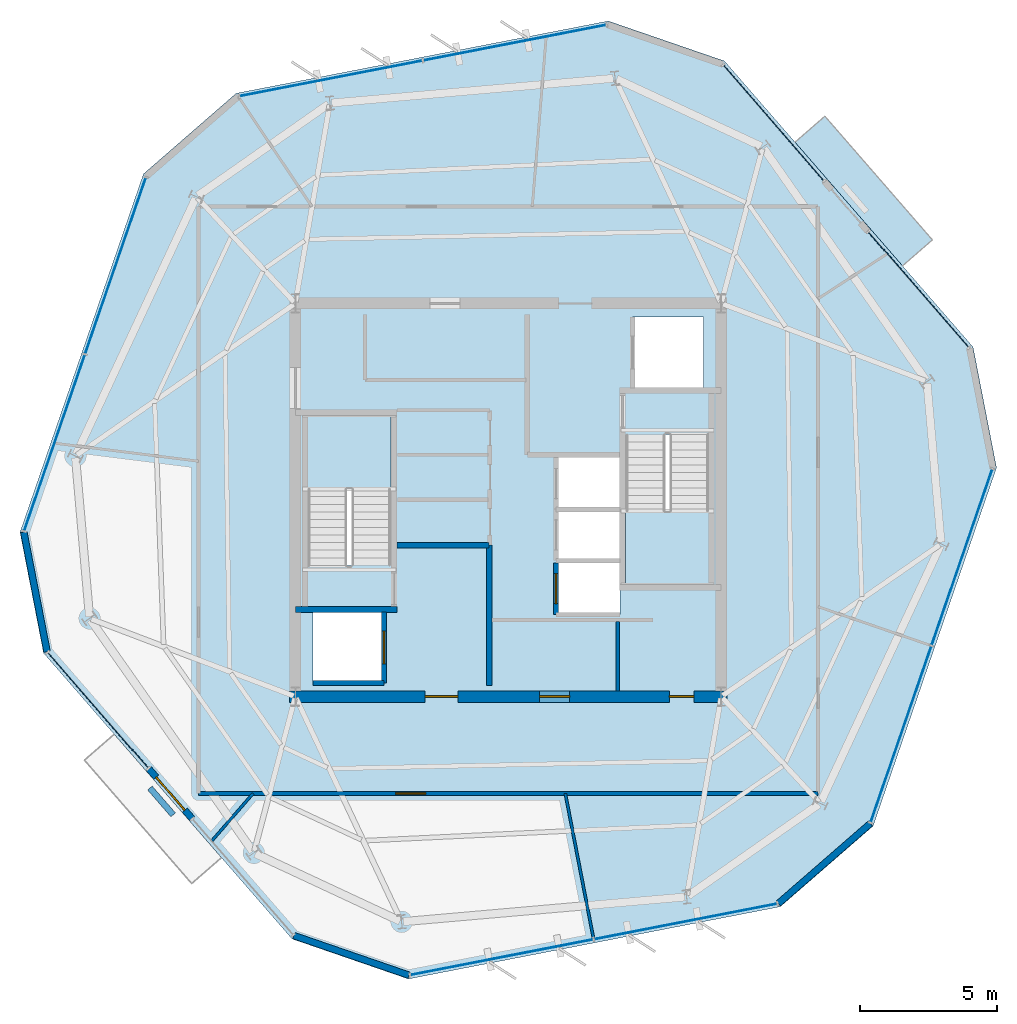
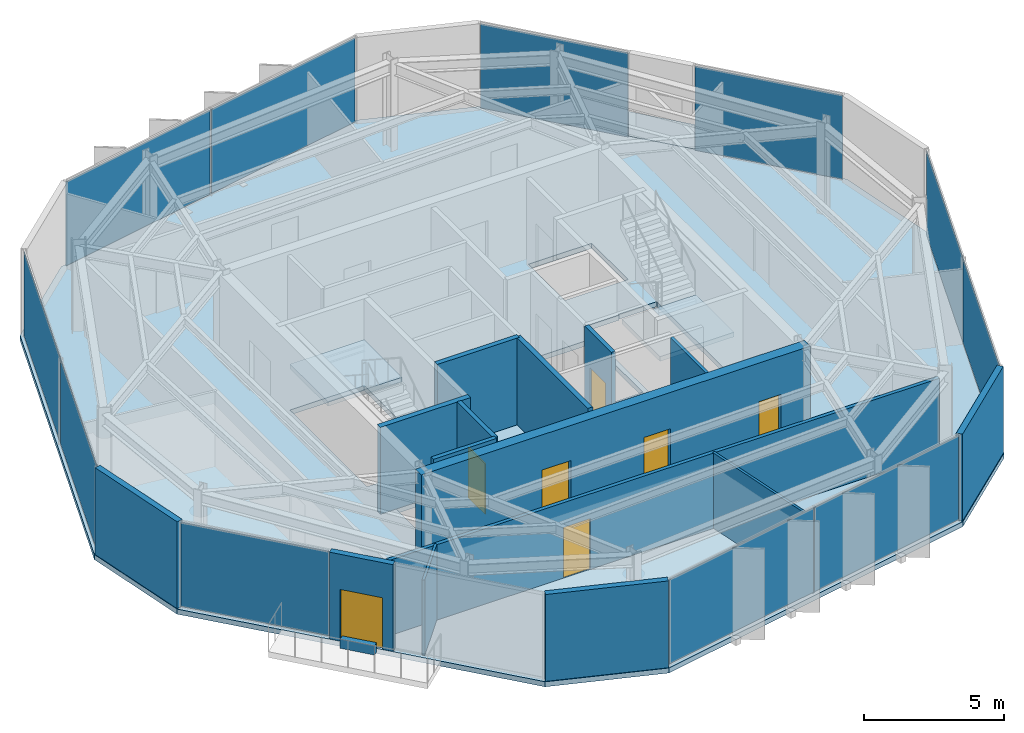
# One storey, part 6 of 10: 16 walls, 11 plates, 7 doors, 4 slabs, 7 openings, 9 elements without a shape of their own.
"""IFC4 building model written with IfcOpenShell, lengths in metres."""

from ifc_helpers import new_model, si_unit, direction, frame, frame_2d, origin, origin_2d, place, context, subcontext, project, spatial, polyline, rectangle, outline, extrude, material, layer, layer_set, type_object, element, fill, aggregate, save


model = new_model("IFC4")

# Units and contexts
model_context = context("Model", 3, precision=1e-05, world=origin(), true_north=direction((0.0, 1.0)))
body_context = subcontext(model_context, "Body", "Model", "MODEL_VIEW")
ifc_project = project(units=[si_unit("LENGTHUNIT", "METRE"), si_unit("AREAUNIT", "SQUARE_METRE"), si_unit("VOLUMEUNIT", "CUBIC_METRE"), si_unit("PLANEANGLEUNIT", "RADIAN"), si_unit("MASSUNIT", "GRAM", prefix="KILO")], contexts=[model_context])

# Site, building, storey
site_placement = place(None, origin())
site = spatial("IfcSite", under=ifc_project, at=site_placement, CompositionType="ELEMENT")
building_placement = place(site_placement, origin())
building = spatial("IfcBuilding", under=site, at=building_placement, Name="Kranzbogen Civic Tower", CompositionType="ELEMENT")
storey_placement = place(building_placement, frame((0.0, 0.0, 310.199951171875)))
storey = spatial("IfcBuildingStorey", under=building, at=storey_placement, Name="L75", CompositionType="ELEMENT", Elevation=310.199951171875)

# Slab
ifc_material_1 = material(Name="Concrete C40/50", Category="concrete")
ifc_layer_1 = layer(ifc_material_1, 0.219970703125, Name="Concrete C40/50")
ifc_layer_set_1 = layer_set([ifc_layer_1], Name="Concrete C40/50")
slab_type_1 = type_object("IfcSlabType", Name="Composite Upper Tower Floor Slab 220 mm", PredefinedType="FLOOR", material=ifc_layer_set_1)
slab_1_placement = place(storey_placement, frame((0.0, 0.0, -0.219970703125)))
element("IfcSlab", 1, at=slab_1_placement, inside=storey, type_object=slab_type_1, Name="L75 tower floor slab", PredefinedType="FLOOR", context=body_context, shape_type="SweptSolid", body=[
    extrude(outline(polyline([(28.662109375, 42.5458984375), (15.031982421875, 39.89697265625), (11.635986328125, 36.944091796875), (7.114990234375, 23.81591796875), (7.97412109375, 19.39794921875), (17.0830078125, 8.9189453125), (21.337890625, 7.4541015625), (34.968017578125, 10.10302734375), (38.364013671875, 13.055908203125), (42.885009765625, 26.18408203125), (42.02587890625, 30.60205078125), (32.9169921875, 41.0810546875), (28.662109375, 42.5458984375)]), holes=[polyline([(17.85009765625, 20.89990234375), (20.449951171875, 20.89990234375), (20.449951171875, 18.300048828125), (17.85009765625, 18.300048828125), (17.85009765625, 20.89990234375)]), polyline([(29.10009765625, 22.699951171875), (29.10009765625, 20.800048828125), (26.75, 20.800048828125), (26.75, 22.699951171875), (29.10009765625, 22.699951171875)]), polyline([(29.10009765625, 24.64990234375), (29.10009765625, 22.77490234375), (26.75, 22.77490234375), (26.75, 24.64990234375), (26.75, 24.675048828125), (26.75, 26.550048828125), (29.10009765625, 26.550048828125), (29.10009765625, 24.675048828125), (29.10009765625, 24.64990234375)]), polyline([(29.300048828125, 27.340087890625), (30.75, 27.340087890625), (30.75, 27.39990234375), (32.35009765625, 27.39990234375), (32.35009765625, 21.89990234375), (29.300048828125, 21.89990234375), (29.300048828125, 27.340087890625)]), polyline([(20.699951171875, 22.659912109375), (19.25, 22.659912109375), (19.25, 22.60009765625), (17.64990234375, 22.60009765625), (17.64990234375, 28.10009765625), (20.699951171875, 28.10009765625), (20.699951171875, 22.659912109375)]), polyline([(32.14990234375, 31.699951171875), (32.14990234375, 29.10009765625), (29.550048828125, 29.10009765625), (29.550048828125, 31.699951171875), (32.14990234375, 31.699951171875)])]), origin(), (0.0, 0.0, 1.0), 0.219970703125),
])

# Curtain wall, plates
ifc_material_2 = material(Name="Pale Anodised Aluminium", Category="aluminium")
ifc_layer_2 = layer(ifc_material_2, 0.219970703125, Name="Pale Anodised Aluminium")
ifc_layer_set_2 = layer_set([ifc_layer_2], Name="Pale Anodised Aluminium")
curtain_wall_type = type_object("IfcCurtainWallType", Name="Zone 4 Stick Curtain Wall System CW-05", PredefinedType="USERDEFINED", material=ifc_layer_set_2)
curtain_wall_1_placement = place(storey_placement, origin())
curtain_wall_1 = element("IfcCurtainWall", 2, at=curtain_wall_1_placement, inside=storey, type_object=curtain_wall_type, Name="L75 curtain wall CW-L75-F1", ObjectType="STICK CURTAIN WALL", PredefinedType="USERDEFINED")
ifc_material_3 = material(Name="Low-E Triple Glazing Glass", Category="glass")
ifc_layer_3 = layer(ifc_material_3, 0.028076171875, Name="Low-E Triple Glazing Glass")
ifc_layer_set_3 = layer_set([ifc_layer_3], Name="Low-E Triple Glazing Glass")
plate_type = type_object("IfcPlateType", Name="Insulated Low-E Glazing Panel 28 mm", PredefinedType="CURTAIN_PANEL", material=ifc_layer_set_3)
plate_1_placement = place(storey_placement, frame((25.237548828125, 41.7490234375, 0.06005859375), z_axis=(0.0, 0.0, 1.0), x_axis=(-0.981635407252, -0.190766682701, 0.0)))
plate_1 = element("IfcPlate", 3, at=plate_1_placement, type_object=plate_type, Name="CW-05 panel 1.1", PredefinedType="CURTAIN_PANEL", context=body_context, shape_type="SweptSolid", body=[
    extrude(rectangle(XDim=6.798095703125, YDim=0.028076171875, at=origin_2d()), origin(), (0.0, 0.0, 1.0), 3.659912109375),
])
plate_2_placement = place(storey_placement, frame((18.50537109375, 40.44091796875, 0.06005859375), z_axis=(0.0, 0.0, 1.0), x_axis=(-0.981635407252, -0.190766682701, 0.0)))
plate_2 = element("IfcPlate", 4, at=plate_2_placement, type_object=plate_type, Name="CW-05 panel 2.1", PredefinedType="CURTAIN_PANEL", context=body_context, shape_type="SweptSolid", body=[
    extrude(rectangle(XDim=6.798095703125, YDim=0.028076171875, at=origin_2d()), origin(), (0.0, 0.0, 1.0), 3.659912109375),
])
aggregate(curtain_wall_1, [plate_1, plate_2])

curtain_wall_2_placement = place(storey_placement, origin())
curtain_wall_2 = element("IfcCurtainWall", 5, at=curtain_wall_2_placement, inside=storey, type_object=curtain_wall_type, Name="L75 curtain wall CW-L75-F2", ObjectType="STICK CURTAIN WALL", PredefinedType="USERDEFINED")
plate_3_placement = place(storey_placement, frame((10.61376953125, 33.580322265625, 0.06005859375), z_axis=(0.0, 0.0, 1.0), x_axis=(-0.325554430043, -0.945523301183, 0.0)))
plate_3 = element("IfcPlate", 6, at=plate_3_placement, type_object=plate_type, Name="CW-05 panel 1.1", PredefinedType="CURTAIN_PANEL", context=body_context, shape_type="SweptSolid", body=[
    extrude(rectangle(XDim=6.79833984375, YDim=0.028076171875, at=origin_2d()), origin(), (0.0, 0.0, 1.0), 3.659912109375),
])
plate_4_placement = place(storey_placement, frame((8.381103515625, 27.095703125, 0.06005859375), z_axis=(0.0, 0.0, 1.0), x_axis=(-0.325554430043, -0.945523301183, 0.0)))
plate_4 = element("IfcPlate", 7, at=plate_4_placement, type_object=plate_type, Name="CW-05 panel 2.1", PredefinedType="CURTAIN_PANEL", context=body_context, shape_type="SweptSolid", body=[
    extrude(rectangle(XDim=6.79833984375, YDim=0.028076171875, at=origin_2d()), origin(), (0.0, 0.0, 1.0), 3.659912109375),
])
aggregate(curtain_wall_2, [plate_3, plate_4])

# Curtain wall, plate
curtain_wall_3_placement = place(storey_placement, origin())
curtain_wall_3 = element("IfcCurtainWall", 8, at=curtain_wall_3_placement, inside=storey, type_object=curtain_wall_type, Name="L75 curtain wall CW-L75-F3-S1", ObjectType="STICK CURTAIN WALL", PredefinedType="USERDEFINED")
plate_5_placement = place(storey_placement, frame((9.972900390625, 17.29541015625, 0.06005859375), z_axis=(0.0, 0.0, 1.0), x_axis=(0.656074252313, -0.754696346521, 0.0)))
plate_5 = element("IfcPlate", 9, at=plate_5_placement, type_object=plate_type, Name="CW-05 panel 1.1", PredefinedType="CURTAIN_PANEL", context=body_context, shape_type="SweptSolid", body=[
    extrude(rectangle(XDim=5.568359375, YDim=0.028076171875, at=origin_2d()), origin(), (0.0, 0.0, 1.0), 3.659912109375),
])
aggregate(curtain_wall_3, [plate_5])

# Curtain wall, plates
curtain_wall_4_placement = place(storey_placement, origin())
curtain_wall_4 = element("IfcCurtainWall", 10, at=curtain_wall_4_placement, inside=storey, type_object=curtain_wall_type, Name="L75 curtain wall CW-L75-F4", ObjectType="STICK CURTAIN WALL", PredefinedType="USERDEFINED")
plate_6_placement = place(storey_placement, frame((24.762451171875, 8.2509765625, 0.06005859375), z_axis=(0.0, 0.0, 1.0), x_axis=(0.981635407252, 0.190766682701, 0.0)))
plate_6 = element("IfcPlate", 11, at=plate_6_placement, type_object=plate_type, Name="CW-05 panel 1.1", PredefinedType="CURTAIN_PANEL", context=body_context, shape_type="SweptSolid", body=[
    extrude(rectangle(XDim=6.798095703125, YDim=0.028076171875, at=origin_2d()), origin(), (0.0, 0.0, 1.0), 3.659912109375),
])
plate_7_placement = place(storey_placement, frame((31.49462890625, 9.55908203125, 0.06005859375), z_axis=(0.0, 0.0, 1.0), x_axis=(0.981635407252, 0.190766682701, 0.0)))
plate_7 = element("IfcPlate", 12, at=plate_7_placement, type_object=plate_type, Name="CW-05 panel 2.1", PredefinedType="CURTAIN_PANEL", context=body_context, shape_type="SweptSolid", body=[
    extrude(rectangle(XDim=6.798095703125, YDim=0.028076171875, at=origin_2d()), origin(), (0.0, 0.0, 1.0), 3.659912109375),
])
aggregate(curtain_wall_4, [plate_6, plate_7])

curtain_wall_5_placement = place(storey_placement, origin())
curtain_wall_5 = element("IfcCurtainWall", 13, at=curtain_wall_5_placement, inside=storey, type_object=curtain_wall_type, Name="L75 curtain wall CW-L75-F5", ObjectType="STICK CURTAIN WALL", PredefinedType="USERDEFINED")
plate_8_placement = place(storey_placement, frame((39.38623046875, 16.419677734375, 0.06005859375), z_axis=(0.0, 0.0, 1.0), x_axis=(0.325554430043, 0.945523301183, 0.0)))
plate_8 = element("IfcPlate", 14, at=plate_8_placement, type_object=plate_type, Name="CW-05 panel 1.1", PredefinedType="CURTAIN_PANEL", context=body_context, shape_type="SweptSolid", body=[
    extrude(rectangle(XDim=6.79833984375, YDim=0.028076171875, at=origin_2d()), origin(), (0.0, 0.0, 1.0), 3.659912109375),
])
plate_9_placement = place(storey_placement, frame((41.618896484375, 22.904296875, 0.06005859375), z_axis=(0.0, 0.0, 1.0), x_axis=(0.325554430043, 0.945523301183, 0.0)))
plate_9 = element("IfcPlate", 15, at=plate_9_placement, type_object=plate_type, Name="CW-05 panel 2.1", PredefinedType="CURTAIN_PANEL", context=body_context, shape_type="SweptSolid", body=[
    extrude(rectangle(XDim=6.79833984375, YDim=0.028076171875, at=origin_2d()), origin(), (0.0, 0.0, 1.0), 3.659912109375),
])
aggregate(curtain_wall_5, [plate_8, plate_9])

# Curtain wall, plate
curtain_wall_6_placement = place(storey_placement, origin())
curtain_wall_6 = element("IfcCurtainWall", 16, at=curtain_wall_6_placement, inside=storey, type_object=curtain_wall_type, Name="L75 curtain wall CW-L75-F6-S1", ObjectType="STICK CURTAIN WALL", PredefinedType="USERDEFINED")
plate_10_placement = place(storey_placement, frame((40.027099609375, 32.70458984375, 0.06005859375), z_axis=(0.0, 0.0, 1.0), x_axis=(-0.656074252313, 0.754696346521, 0.0)))
plate_10 = element("IfcPlate", 17, at=plate_10_placement, type_object=plate_type, Name="CW-05 panel 1.1", PredefinedType="CURTAIN_PANEL", context=body_context, shape_type="SweptSolid", body=[
    extrude(rectangle(XDim=5.568359375, YDim=0.028076171875, at=origin_2d()), origin(), (0.0, 0.0, 1.0), 3.659912109375),
])
aggregate(curtain_wall_6, [plate_10])

curtain_wall_7_placement = place(storey_placement, origin())
curtain_wall_7 = element("IfcCurtainWall", 18, at=curtain_wall_7_placement, inside=storey, type_object=curtain_wall_type, Name="L75 curtain wall CW-L75-F6-S2", ObjectType="STICK CURTAIN WALL", PredefinedType="USERDEFINED")
plate_11_placement = place(storey_placement, frame((34.720947265625, 38.80859375, 0.06005859375), z_axis=(0.0, 0.0, 1.0), x_axis=(-0.656074252313, 0.754696346521, 0.0)))
plate_11 = element("IfcPlate", 19, at=plate_11_placement, type_object=plate_type, Name="CW-05 panel 1.1", PredefinedType="CURTAIN_PANEL", context=body_context, shape_type="SweptSolid", body=[
    extrude(rectangle(XDim=5.568359375, YDim=0.028076171875, at=origin_2d()), origin(), (0.0, 0.0, 1.0), 3.659912109375),
])
aggregate(curtain_wall_7, [plate_11])

# Stair, slab
ifc_material_4 = material(Name="Precast concrete C40/50", Category="concrete")
stair_type_1 = type_object("IfcStairType", Name="Tower Core Pressurized Dogleg Stair 1450", PredefinedType="HALF_TURN_STAIR", material=ifc_material_4)
stair_1_placement = place(storey_placement, origin())
stair_1 = element("IfcStair", 20, at=stair_1_placement, inside=storey, type_object=stair_type_1, Name="L75 Tower Core Pressurized Stair 1", PredefinedType="HALF_TURN_STAIR")
ifc_layer_4 = layer(ifc_material_4, 0.199951171875, Name="Precast concrete C40/50")
ifc_layer_set_4 = layer_set([ifc_layer_4], Name="Precast concrete C40/50")
slab_type_2 = type_object("IfcSlabType", Name="Precast Concrete Stair Landing Slab 200 mm", PredefinedType="LANDING", material=ifc_layer_set_4)
slab_2_placement = place(storey_placement, frame((0.0, 0.0, 1.800048828125)))
slab_2 = element("IfcSlab", 21, at=slab_2_placement, type_object=slab_type_2, Name="ST-T1 landing 1", PredefinedType="LANDING", context=body_context, shape_type="SweptSolid", body=[
    extrude(outline(polyline([(20.699951171875, 25.39990234375), (20.699951171875, 28.10009765625), (17.64990234375, 28.10009765625), (17.64990234375, 25.39990234375), (20.699951171875, 25.39990234375)])), origin(), (0.0, 0.0, 1.0), 0.199951171875),
])
aggregate(stair_1, [slab_2])

stair_type_2 = type_object("IfcStairType", Name="Tower Core Secondary Dogleg Stair 1450", PredefinedType="HALF_TURN_STAIR", material=ifc_material_4)
stair_2_placement = place(storey_placement, origin())
stair_2 = element("IfcStair", 22, at=stair_2_placement, inside=storey, type_object=stair_type_2, Name="L75 Tower Core Pressurized Stair 2", PredefinedType="HALF_TURN_STAIR")
slab_3_placement = place(storey_placement, frame((0.0, 0.0, 1.800048828125)))
slab_3 = element("IfcSlab", 23, at=slab_3_placement, type_object=slab_type_2, Name="ST-T2 landing 1", PredefinedType="LANDING", context=body_context, shape_type="SweptSolid", body=[
    extrude(outline(polyline([(29.300048828125, 24.60009765625), (29.300048828125, 21.89990234375), (32.35009765625, 21.89990234375), (32.35009765625, 24.60009765625), (29.300048828125, 24.60009765625)])), origin(), (0.0, 0.0, 1.0), 0.199951171875),
])
aggregate(stair_2, [slab_3])

# Slab
ifc_layer_5 = layer(ifc_material_1, 0.25, Name="Concrete C40/50")
ifc_layer_set_5 = layer_set([ifc_layer_5], Name="Concrete C40/50")
slab_type_3 = type_object("IfcSlabType", Name="Tree Balcony Cantilevered Slab 250 mm", PredefinedType="FLOOR", material=ifc_layer_set_5)
slab_4_placement = place(storey_placement, frame((0.0, 0.0, -0.25)))
element("IfcSlab", 24, at=slab_4_placement, inside=storey, type_object=slab_type_3, Name="L75 cantilevered tree balcony L75-TB2", PredefinedType="FLOOR", context=body_context, shape_type="SweptSolid", body=[
    extrude(outline(polyline([(39.43994140625, 33.576904296875), (35.5029296875, 38.10595703125), (36.596923828125, 39.056884765625), (40.533935546875, 34.528076171875), (39.43994140625, 33.576904296875)])), origin(), (0.0, 0.0, 1.0), 0.25),
])

# Wall, opening, door
ifc_material_5 = material(Name="Double-Stud Acoustic Gypsum Partition")
ifc_layer_6 = layer(ifc_material_5, 0.14990234375, Name="Double-Stud Acoustic Gypsum Partition")
ifc_layer_set_6 = layer_set([ifc_layer_6], Name="Double-Stud Acoustic Gypsum Partition")
wall_type_1 = type_object("IfcWallType", Name="Acoustic Corridor and Clinical Partition 150 mm", PredefinedType="PARTITIONING", material=ifc_layer_set_6)
wall_1_placement = place(storey_placement, frame((36.35009765625, 14.25, 0.0), z_axis=(0.0, 0.0, 1.0), x_axis=(-1.0, 0.0, 0.0)))
wall_1 = element("IfcWall", 25, at=wall_1_placement, inside=storey, type_object=wall_type_1, Name="L75 corridor partition 03", PredefinedType="PARTITIONING", context=body_context, shape_type="SweptSolid", body=[
    extrude(rectangle(XDim=22.7001953125, YDim=0.14990234375, at=frame_2d((11.35009765625, 0.0))), origin(), (0.0, 0.0, 1.0), 3.280029296875),
])
opening_1_placement = place(wall_1_placement, frame((14.3740234375, 0.0, 0.0)))
opening_1 = element("IfcOpeningElement", 26, at=opening_1_placement, cuts=wall_1, Name="Opening D-COR60", PredefinedType="OPENING", context=body_context, shape_type="SweptSolid", body=[
    extrude(rectangle(XDim=1.10009765625, YDim=2.199951171875, at=frame_2d((0.550048828125, 1.10009765625))), frame((0.0, 0.0849609375, 0.0), z_axis=(0.0, -1.0, 0.0), x_axis=(1.0, 0.0, 0.0)), (0.0, 0.0, 1.0), 0.169921875),
])
ifc_material_6 = material(Name="Oak Timber and Fire Core", Category="wood")
door_type_1 = type_object("IfcDoorType", Name="Corridor Acoustic Fire Door 1100x2200", OperationType="NOTDEFINED", PredefinedType="DOOR", material=ifc_material_6)
door_1_placement = place(opening_1_placement, origin())
door_1 = element("IfcDoor", 27, at=door_1_placement, inside=storey, type_object=door_type_1, Name="L75 Visitor Concierge Foyer door", OperationType="SINGLE_SWING_LEFT", OverallHeight=2.199951171875, OverallWidth=1.10009765625, PredefinedType="DOOR", context=body_context, shape_type="SweptSolid", body=[
    extrude(rectangle(XDim=1.10009765625, YDim=2.199951171875, at=frame_2d((0.550048828125, 1.10009765625))), frame((0.0, 0.02490234375, 0.0), z_axis=(0.0, -1.0, 0.0), x_axis=(1.0, 0.0, 0.0)), (0.0, 0.0, 1.0), 0.050048828125),
])
fill(opening_1, door_1)

# Walls
ifc_material_7 = material(Name="Insulated Metal-Stud Gypsum Partition")
ifc_layer_7 = layer(ifc_material_7, 0.125, Name="Insulated Metal-Stud Gypsum Partition")
ifc_layer_set_7 = layer_set([ifc_layer_7], Name="Insulated Metal-Stud Gypsum Partition")
wall_type_2 = type_object("IfcWallType", Name="Acoustic Inter-Room Partition 125 mm", PredefinedType="PARTITIONING", material=ifc_layer_set_7)
wall_2_placement = place(storey_placement, frame((29.010009765625, 18.010009765625, 0.0), z_axis=(0.0, 0.0, 1.0), x_axis=(0.0, 1.0, 0.0)))
element("IfcWall", 28, at=wall_2_placement, inside=storey, type_object=wall_type_2, Name="L75 core auxiliary partition 1", PredefinedType="PARTITIONING", context=body_context, shape_type="SweptSolid", body=[
    extrude(rectangle(XDim=2.5400390625, YDim=0.125, at=frame_2d((1.27001953125, 0.0))), origin(), (0.0, 0.0, 1.0), 3.780029296875),
])
ifc_material_8 = material(Name="Architectural Precast Terracotta Concrete C40/50", Category="masonry")
ifc_layer_8 = layer(ifc_material_8, 0.219970703125, Name="Architectural Precast Terracotta Concrete C40/50")
ifc_layer_set_8 = layer_set([ifc_layer_8], Name="Architectural Precast Terracotta Concrete C40/50")
wall_type_3 = type_object("IfcWallType", Name="Architectural Tree Planter Kerb Wall 220 mm", PredefinedType="USERDEFINED", material=ifc_layer_set_8)
wall_3_placement = place(storey_placement, frame((11.873046875, 14.449951171875, 0.0), z_axis=(0.0, 0.0, 1.0), x_axis=(0.655387978368, -0.755292392263, 0.0)))
element("IfcWall", 29, at=wall_3_placement, inside=storey, type_object=wall_type_3, Name="L75 landscaped tree balcony planter L75-TB1", ObjectType="PLANTER_WALL", PredefinedType="USERDEFINED", context=body_context, shape_type="SweptSolid", body=[
    extrude(rectangle(XDim=1.300048828125, YDim=0.219970703125, at=frame_2d((0.64990234375, 0.0))), origin(), (0.0, 0.0, 1.0), 0.400146484375),
])

# Wall, openings, doors
ifc_material_9 = material(Name="Concrete C45/55", Category="concrete")
ifc_layer_9 = layer(ifc_material_9, 0.419921875, Name="Concrete C45/55")
ifc_layer_set_9 = layer_set([ifc_layer_9], Name="Concrete C45/55")
wall_type_4 = type_object("IfcWallType", Name="Central Core Shear Wall 420 mm", PredefinedType="SHEAR", material=ifc_layer_set_9)
wall_4_placement = place(storey_placement, frame((16.989990234375, 17.800048828125, 0.0), z_axis=(0.0, 0.0, 1.0), x_axis=(1.0, 0.0, 0.0)))
wall_4 = element("IfcWall", 30, at=wall_4_placement, inside=storey, type_object=wall_type_4, Name="L75 central core South shear wall", PredefinedType="SHEAR", context=body_context, shape_type="SweptSolid", body=[
    extrude(rectangle(XDim=16.02001953125, YDim=0.419921875, at=frame_2d((8.010009765625, 0.0))), origin(), (0.0, 0.0, 1.0), 3.780029296875),
])
opening_2_placement = place(wall_4_placement, frame((4.9599609375, 0.0, 0.0)))
opening_2 = element("IfcOpeningElement", 31, at=opening_2_placement, cuts=wall_4, Name="Opening D-EX120", PredefinedType="OPENING", context=body_context, shape_type="SweptSolid", body=[
    extrude(rectangle(XDim=1.199951171875, YDim=2.25, at=frame_2d((0.60009765625, 1.125))), frame((0.0, 0.219970703125, 0.0), z_axis=(0.0, -1.0, 0.0), x_axis=(1.0, 0.0, 0.0)), (0.0, 0.0, 1.0), 0.43994140625),
])
opening_3_placement = place(wall_4_placement, frame((13.909912109375, 0.0, 0.0)))
opening_3 = element("IfcOpeningElement", 32, at=opening_3_placement, cuts=wall_4, Name="Opening D-WC90", PredefinedType="OPENING", context=body_context, shape_type="SweptSolid", body=[
    extrude(rectangle(XDim=0.89990234375, YDim=2.10009765625, at=frame_2d((0.449951171875, 1.050048828125))), frame((0.0, 0.219970703125, 0.0), z_axis=(0.0, -1.0, 0.0), x_axis=(1.0, 0.0, 0.0)), (0.0, 0.0, 1.0), 0.43994140625),
])
opening_4_placement = place(wall_4_placement, frame((9.159912109375, 0.0, 0.0)))
opening_4 = element("IfcOpeningElement", 33, at=opening_4_placement, cuts=wall_4, Name="Opening D-COR60", PredefinedType="OPENING", context=body_context, shape_type="SweptSolid", body=[
    extrude(rectangle(XDim=1.10009765625, YDim=2.199951171875, at=frame_2d((0.550048828125, 1.10009765625))), frame((0.0, 0.219970703125, 0.0), z_axis=(0.0, -1.0, 0.0), x_axis=(1.0, 0.0, 0.0)), (0.0, 0.0, 1.0), 0.43994140625),
])
door_2_placement = place(opening_4_placement, origin())
door_2 = element("IfcDoor", 34, at=door_2_placement, inside=storey, type_object=door_type_1, Name="L75 REC1 archive room door", OperationType="SINGLE_SWING_RIGHT", OverallHeight=2.199951171875, OverallWidth=1.10009765625, PredefinedType="DOOR", context=body_context, shape_type="SweptSolid", body=[
    extrude(rectangle(XDim=1.10009765625, YDim=2.199951171875, at=frame_2d((0.550048828125, 1.10009765625))), frame((0.0, 0.02490234375, 0.0), z_axis=(0.0, -1.0, 0.0), x_axis=(1.0, 0.0, 0.0)), (0.0, 0.0, 1.0), 0.050048828125),
])
fill(opening_4, door_2)
ifc_material_10 = material(Name="Steel S355", Category="steel")
door_type_2 = type_object("IfcDoorType", Name="Exit Passageway Fire Door 1200x2250", OperationType="NOTDEFINED", PredefinedType="DOOR", material=ifc_material_10)
door_3_placement = place(opening_2_placement, origin())
door_3 = element("IfcDoor", 35, at=door_3_placement, inside=storey, type_object=door_type_2, Name="L75 West firefighting lobby corridor door", OperationType="SINGLE_SWING_RIGHT", OverallHeight=2.25, OverallWidth=1.199951171875, PredefinedType="DOOR", context=body_context, shape_type="SweptSolid", body=[
    extrude(rectangle(XDim=1.199951171875, YDim=2.25, at=frame_2d((0.60009765625, 1.125))), frame((0.0, 0.02490234375, 0.0), z_axis=(0.0, -1.0, 0.0), x_axis=(1.0, 0.0, 0.0)), (0.0, 0.0, 1.0), 0.050048828125),
])
fill(opening_2, door_3)
ifc_material_11 = material(Name="Moisture-Resistant Laminate")
door_type_3 = type_object("IfcDoorType", Name="Standard Restroom and Store Door 900x2100", OperationType="NOTDEFINED", PredefinedType="DOOR", material=ifc_material_11)
door_4_placement = place(opening_3_placement, origin())
door_4 = element("IfcDoor", 36, at=door_4_placement, inside=storey, type_object=door_type_3, Name="L75 East electrical riser access door", OperationType="SINGLE_SWING_LEFT", OverallHeight=2.10009765625, OverallWidth=0.89990234375, PredefinedType="DOOR", context=body_context, shape_type="SweptSolid", body=[
    extrude(rectangle(XDim=0.89990234375, YDim=2.10009765625, at=frame_2d((0.449951171875, 1.050048828125))), frame((0.0, 0.02490234375, 0.0), z_axis=(0.0, -1.0, 0.0), x_axis=(1.0, 0.0, 0.0)), (0.0, 0.0, 1.0), 0.050048828125),
])
fill(opening_3, door_4)

# Walls
ifc_layer_10 = layer(ifc_material_9, 0.219970703125, Name="Concrete C45/55")
ifc_layer_set_10 = layer_set([ifc_layer_10], Name="Concrete C45/55")
wall_type_5 = type_object("IfcWallType", Name="Core Internal Stair Structural Wall 220 mm", PredefinedType="SOLIDWALL", material=ifc_layer_set_10)
wall_5_placement = place(storey_placement, frame((17.199951171875, 20.989990234375, 0.0), z_axis=(0.0, 0.0, 1.0), x_axis=(1.0, 0.0, 0.0)))
element("IfcWall", 37, at=wall_5_placement, inside=storey, type_object=wall_type_5, Name="L75 ST-T1 South structural stair wall", PredefinedType="SOLIDWALL", context=body_context, shape_type="SweptSolid", body=[
    extrude(rectangle(XDim=3.719970703125, YDim=0.219970703125, at=frame_2d((1.85986328125, 0.0))), origin(), (0.0, 0.0, 1.0), 3.780029296875),
])
ifc_material_12 = material(Name="Demountable Aluminium and Gypsum Partition", Category="aluminium")
ifc_layer_11 = layer(ifc_material_12, 0.10009765625, Name="Demountable Aluminium and Gypsum Partition")
ifc_layer_set_11 = layer_set([ifc_layer_11], Name="Demountable Aluminium and Gypsum Partition")
wall_type_6 = type_object("IfcWallType", Name="Demountable Office Partition 100 mm", PredefinedType="MOVABLE", material=ifc_layer_set_11)
wall_6_placement = place(storey_placement, frame((15.65087890625, 14.25, 0.0), z_axis=(0.0, 0.0, 1.0), x_axis=(-0.656104924623, -0.754669681308, 0.0)))
element("IfcWall", 38, at=wall_6_placement, inside=storey, type_object=wall_type_6, Name="L75 radial room partition 03", PredefinedType="MOVABLE", context=body_context, shape_type="SweptSolid", body=[
    extrude(rectangle(XDim=2.293701171875, YDim=0.10009765625, at=frame_2d((1.14697265625, 0.0))), origin(), (0.0, 0.0, 1.0), 3.280029296875),
])
wall_7_placement = place(storey_placement, frame((27.089111328125, 14.25, 0.0), z_axis=(0.0, 0.0, 1.0), x_axis=(0.190811881925, -0.981626622355, 0.0)))
element("IfcWall", 39, at=wall_7_placement, inside=storey, type_object=wall_type_6, Name="L75 radial room partition 04", PredefinedType="MOVABLE", context=body_context, shape_type="SweptSolid", body=[
    extrude(rectangle(XDim=5.428955078125, YDim=0.10009765625, at=frame_2d((2.71435546875, 0.0))), origin(), (0.0, 0.0, 1.0), 3.280029296875),
])
ifc_material_13 = material(Name="Gypsum Fireboard and Concrete Block", Category="concrete")
ifc_layer_12 = layer(ifc_material_13, 0.199951171875, Name="Gypsum Fireboard and Concrete Block")
ifc_layer_set_12 = layer_set([ifc_layer_12], Name="Gypsum Fireboard and Concrete Block")
wall_type_7 = type_object("IfcWallType", Name="Fire-Rated Exit Passageway and Stair Wall 200 mm", PredefinedType="PARTITIONING", material=ifc_layer_set_12)
wall_8_placement = place(storey_placement, frame((24.300048828125, 18.199951171875, 0.0), z_axis=(0.0, 0.0, 1.0), x_axis=(0.0, 1.0, 0.0)))
element("IfcWall", 40, at=wall_8_placement, inside=storey, type_object=wall_type_7, Name="L75 West firefighting lobby East wall", PredefinedType="PARTITIONING", context=body_context, shape_type="SweptSolid", body=[
    extrude(rectangle(XDim=5.150146484375, YDim=0.199951171875, at=frame_2d((2.5751953125, 0.0))), origin(), (0.0, 0.0, 1.0), 3.780029296875),
])
wall_9_placement = place(storey_placement, frame((20.919921875, 23.35009765625, 0.0), z_axis=(0.0, 0.0, 1.0), x_axis=(1.0, 0.0, 0.0)))
element("IfcWall", 41, at=wall_9_placement, inside=storey, type_object=wall_type_7, Name="L75 West firefighting lobby North wall", PredefinedType="PARTITIONING", context=body_context, shape_type="SweptSolid", body=[
    extrude(rectangle(XDim=3.380126953125, YDim=0.199951171875, at=frame_2d((1.68994140625, 0.0))), origin(), (0.0, 0.0, 1.0), 3.780029296875),
])

# Wall, opening, door
ifc_material_14 = material(Name="Gypsum Fireboard Shaftliner")
ifc_layer_13 = layer(ifc_material_14, 0.175048828125, Name="Gypsum Fireboard Shaftliner")
ifc_layer_set_13 = layer_set([ifc_layer_13], Name="Gypsum Fireboard Shaftliner")
wall_type_8 = type_object("IfcWallType", Name="Fire-Rated Lift and Service Shaft Wall 175 mm", PredefinedType="PARTITIONING", material=ifc_layer_set_13)
wall_10_placement = place(storey_placement, frame((26.75, 20.800048828125, 0.0), z_axis=(0.0, 0.0, 1.0), x_axis=(0.0, 1.0, 0.0)))
wall_10 = element("IfcWall", 42, at=wall_10_placement, inside=storey, type_object=wall_type_8, Name="L75 lift HP-01 landing wall", PredefinedType="PARTITIONING", context=body_context, shape_type="SweptSolid", body=[
    extrude(rectangle(XDim=1.89990234375, YDim=0.175048828125, at=frame_2d((0.949951171875, 0.0))), origin(), (0.0, 0.0, 1.0), 3.780029296875),
])
opening_5_placement = place(wall_10_placement, frame((0.39990234375, 0.0, 0.0)))
opening_5 = element("IfcOpeningElement", 43, at=opening_5_placement, cuts=wall_10, Name="Opening LD-HP-01", PredefinedType="OPENING", context=body_context, shape_type="SweptSolid", body=[
    extrude(rectangle(XDim=1.10009765625, YDim=2.199951171875, at=frame_2d((0.550048828125, 1.10009765625))), frame((0.0, 0.09765625, 0.0), z_axis=(0.0, -1.0, 0.0), x_axis=(1.0, 0.0, 0.0)), (0.0, 0.0, 1.0), 0.195068359375),
])
door_type_4 = type_object("IfcDoorType", Name="Passenger Lift Sliding Landing Door 1100x2200", OperationType="DOUBLE_DOOR_SLIDING", PredefinedType="DOOR", material=ifc_material_2)
door_5_placement = place(opening_5_placement, origin())
door_5 = element("IfcDoor", 44, at=door_5_placement, inside=storey, type_object=door_type_4, Name="L75 lift HP-01 sliding landing door", OperationType="DOUBLE_DOOR_SLIDING", OverallHeight=2.199951171875, OverallWidth=1.10009765625, PredefinedType="DOOR", context=body_context, shape_type="SweptSolid", body=[
    extrude(rectangle(XDim=1.10009765625, YDim=2.199951171875, at=frame_2d((0.550048828125, 1.10009765625))), frame((0.0, 0.02490234375, 0.0), z_axis=(0.0, -1.0, 0.0), x_axis=(1.0, 0.0, 0.0)), (0.0, 0.0, 1.0), 0.050048828125),
])
fill(opening_5, door_5)

wall_11_placement = place(storey_placement, frame((20.449951171875, 18.300048828125, 0.0), z_axis=(0.0, 0.0, 1.0), x_axis=(0.0, 1.0, 0.0)))
wall_11 = element("IfcWall", 45, at=wall_11_placement, inside=storey, type_object=wall_type_8, Name="L75 lift FF-01 landing wall", PredefinedType="PARTITIONING", context=body_context, shape_type="SweptSolid", body=[
    extrude(rectangle(XDim=2.599853515625, YDim=0.175048828125, at=frame_2d((1.2998046875, 0.0))), origin(), (0.0, 0.0, 1.0), 3.780029296875),
])
opening_6_placement = place(wall_11_placement, frame((0.699951171875, 0.0, 0.0)))
opening_6 = element("IfcOpeningElement", 46, at=opening_6_placement, cuts=wall_11, Name="Opening LD-FF-01", PredefinedType="OPENING", context=body_context, shape_type="SweptSolid", body=[
    extrude(rectangle(XDim=1.199951171875, YDim=2.199951171875, at=frame_2d((0.60009765625, 1.10009765625))), frame((0.0, 0.09765625, 0.0), z_axis=(0.0, -1.0, 0.0), x_axis=(1.0, 0.0, 0.0)), (0.0, 0.0, 1.0), 0.195068359375),
])
door_type_5 = type_object("IfcDoorType", Name="Firefighting and Stretcher Lift Sliding Landing Door 1200x2200", OperationType="DOUBLE_DOOR_SLIDING", PredefinedType="DOOR", material=ifc_material_2)
door_6_placement = place(opening_6_placement, origin())
door_6 = element("IfcDoor", 47, at=door_6_placement, inside=storey, type_object=door_type_5, Name="L75 lift FF-01 sliding landing door", OperationType="DOUBLE_DOOR_SLIDING", OverallHeight=2.199951171875, OverallWidth=1.199951171875, PredefinedType="DOOR", context=body_context, shape_type="SweptSolid", body=[
    extrude(rectangle(XDim=1.199951171875, YDim=2.199951171875, at=frame_2d((0.60009765625, 1.10009765625))), frame((0.0, 0.02490234375, 0.0), z_axis=(0.0, -1.0, 0.0), x_axis=(1.0, 0.0, 0.0)), (0.0, 0.0, 1.0), 0.050048828125),
])
fill(opening_6, door_6)

# Walls
wall_12_placement = place(storey_placement, frame((17.85009765625, 18.300048828125, 0.0), z_axis=(0.0, 0.0, 1.0), x_axis=(1.0, 0.0, 0.0)))
element("IfcWall", 48, at=wall_12_placement, inside=storey, type_object=wall_type_8, Name="L75 lift FF-01 side wall", PredefinedType="PARTITIONING", context=body_context, shape_type="SweptSolid", body=[
    extrude(rectangle(XDim=2.599853515625, YDim=0.175048828125, at=frame_2d((1.2998046875, 0.0))), origin(), (0.0, 0.0, 1.0), 3.780029296875),
])
ifc_layer_14 = layer(ifc_material_2, 0.239990234375, Name="Pale Anodised Aluminium")
ifc_layer_set_14 = layer_set([ifc_layer_14], Name="Pale Anodised Aluminium")
wall_type_9 = type_object("IfcWallType", Name="Insulated Aluminium Facade Portal Wall 240 mm", PredefinedType="STANDARD", material=ifc_layer_set_14)
wall_13_placement = place(storey_placement, frame((7.2548828125, 23.824951171875, 0.0), z_axis=(0.0, 0.0, 1.0), x_axis=(0.190824290845, -0.981624210186, 0.0)))
element("IfcWall", 49, at=wall_13_placement, inside=storey, type_object=wall_type_9, Name="L75 chamfered corner facade spandrel 2", PredefinedType="STANDARD", context=body_context, shape_type="SweptSolid", body=[
    extrude(rectangle(XDim=4.465087890625, YDim=0.239990234375, at=frame_2d((2.232421875, 0.0))), origin(), (0.0, 0.0, 1.0), 3.780029296875),
])

# Wall, opening, door
wall_14_placement = place(storey_placement, frame((11.839111328125, 15.14892578125, 0.0), z_axis=(0.0, 0.0, 1.0), x_axis=(0.655979683466, -0.754778546913, 0.0)))
wall_14 = element("IfcWall", 50, at=wall_14_placement, inside=storey, type_object=wall_type_9, Name="L75 exterior entrance portal wall 1", PredefinedType="STANDARD", context=body_context, shape_type="SweptSolid", body=[
    extrude(rectangle(XDim=2.3994140625, YDim=0.239990234375, at=frame_2d((1.19970703125, 0.0))), origin(), (0.0, 0.0, 1.0), 3.780029296875),
])
opening_7_placement = place(wall_14_placement, frame((0.39990234375, 0.0, 0.0)))
opening_7 = element("IfcOpeningElement", 51, at=opening_7_placement, cuts=wall_14, Name="Opening D-TER", PredefinedType="OPENING", context=body_context, shape_type="SweptSolid", body=[
    extrude(rectangle(XDim=1.60009765625, YDim=2.25, at=frame_2d((0.800048828125, 1.125))), frame((0.0, 0.1298828125, 0.0), z_axis=(0.0, -1.0, 0.0), x_axis=(1.0, 0.0, 0.0)), (0.0, 0.0, 1.0), 0.260009765625),
])
ifc_material_15 = material(Name="Anodised Bronze and Triple Glass", Category="glass")
door_type_6 = type_object("IfcDoorType", Name="Glazed Terrace and Balcony Double Door 1600x2250", OperationType="DOUBLE_DOOR_SINGLE_SWING", PredefinedType="DOOR", material=ifc_material_15)
door_7_placement = place(opening_7_placement, frame((1.60009765625, 0.0, 0.0), z_axis=(0.0, 0.0, 1.0), x_axis=(-1.0, 0.0, 0.0)))
door_7 = element("IfcDoor", 52, at=door_7_placement, inside=storey, type_object=door_type_6, Name="L75 tree balcony access door L75-TB1", OperationType="DOUBLE_DOOR_SINGLE_SWING", OverallHeight=2.25, OverallWidth=1.60009765625, PredefinedType="DOOR", context=body_context, shape_type="SweptSolid", body=[
    extrude(rectangle(XDim=1.60009765625, YDim=2.25, at=frame_2d((0.800048828125, 1.125))), frame((0.0, 0.02490234375, 0.0), z_axis=(0.0, -1.0, 0.0), x_axis=(1.0, 0.0, 0.0)), (0.0, 0.0, 1.0), 0.050048828125),
])
fill(opening_7, door_7)

# Walls
wall_15_placement = place(storey_placement, frame((17.14501953125, 9.044921875, 0.0), z_axis=(0.0, 0.0, 1.0), x_axis=(0.945509443057, -0.325594676077, 0.0)))
element("IfcWall", 53, at=wall_15_placement, inside=storey, type_object=wall_type_9, Name="L75 chamfered corner facade spandrel 3", PredefinedType="STANDARD", context=body_context, shape_type="SweptSolid", body=[
    extrude(rectangle(XDim=4.46533203125, YDim=0.239990234375, at=frame_2d((2.232666015625, 0.0))), origin(), (0.0, 0.0, 1.0), 3.780029296875),
])
wall_16_placement = place(storey_placement, frame((34.889892578125, 10.218994140625, 0.0), z_axis=(0.0, 0.0, 1.0), x_axis=(0.754672605899, 0.656101560663, 0.0)))
element("IfcWall", 54, at=wall_16_placement, inside=storey, type_object=wall_type_9, Name="L75 chamfered corner facade spandrel 4", PredefinedType="STANDARD", context=body_context, shape_type="SweptSolid", body=[
    extrude(rectangle(XDim=4.465576171875, YDim=0.239990234375, at=frame_2d((2.23291015625, 0.0))), origin(), (0.0, 0.0, 1.0), 3.780029296875),
])

save(model, "model.ifc")
